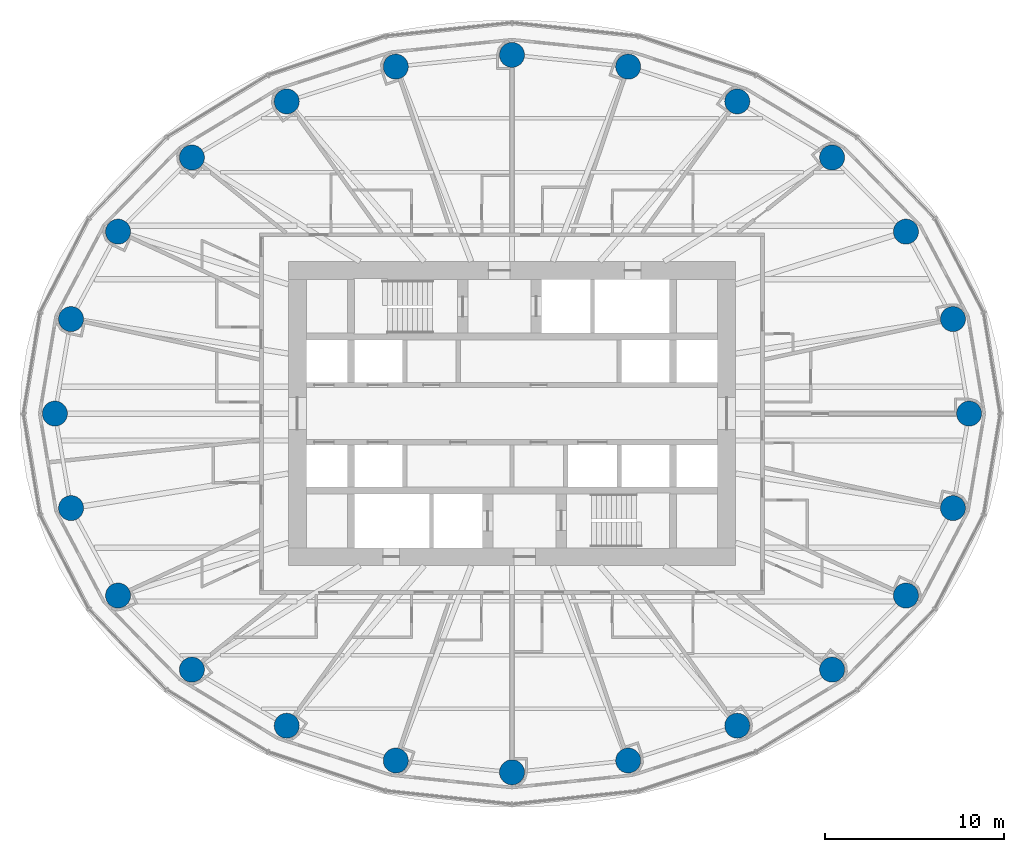
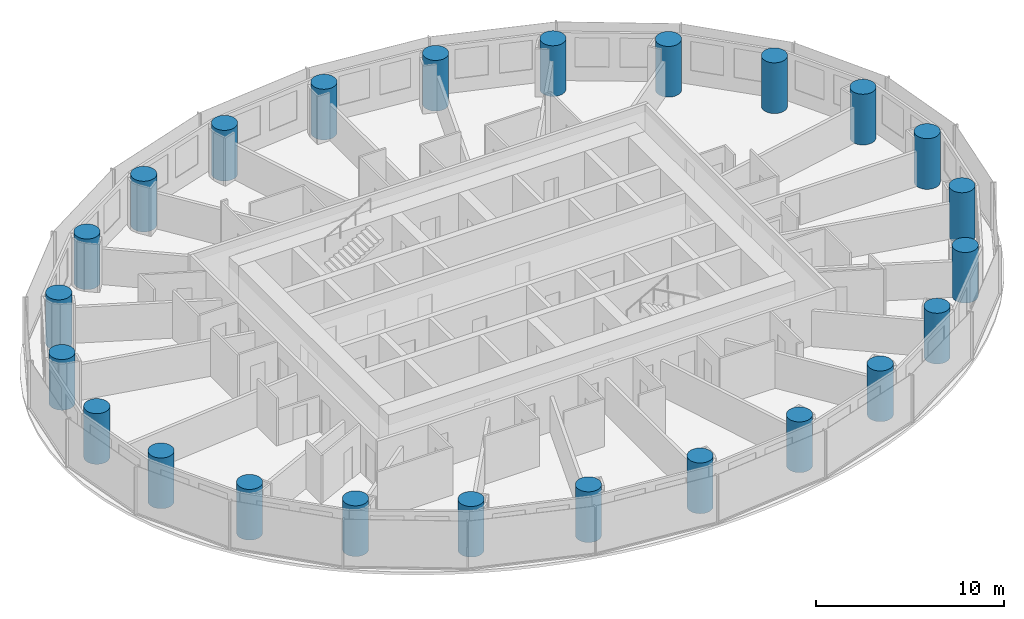
# One storey, part 1 of 14: 24 columns.
"""IFC4 building model written with IfcOpenShell, lengths in metres."""

from ifc_helpers import new_model, si_unit, direction, frame, origin, origin_2d, place, context, subcontext, project, spatial, circle, extrude, material, material_profile, profile_set, type_object, element, save


model = new_model("IFC4")

# Units and contexts
model_context = context("Model", 3, precision=1e-05, world=origin(), true_north=direction((0.0, 1.0)))
body_context = subcontext(model_context, "Body", "Model", "MODEL_VIEW")
ifc_project = project(units=[si_unit("LENGTHUNIT", "METRE"), si_unit("AREAUNIT", "SQUARE_METRE"), si_unit("VOLUMEUNIT", "CUBIC_METRE"), si_unit("PLANEANGLEUNIT", "RADIAN"), si_unit("MASSUNIT", "GRAM", prefix="KILO")], contexts=[model_context])

# Site, building, storey
site_placement = place(None, origin())
site = spatial("IfcSite", under=ifc_project, at=site_placement, CompositionType="ELEMENT")
building_placement = place(site_placement, origin())
building = spatial("IfcBuilding", under=site, at=building_placement, Name="Hankou Lantern Tower", CompositionType="ELEMENT")
storey_placement = place(building_placement, frame((0.0, 0.0, 60.60009765625)))
storey = spatial("IfcBuildingStorey", under=building, at=storey_placement, Name="L14", CompositionType="ELEMENT", Elevation=60.60009765625)

# Columns
ifc_material = material(Name="Concrete C60", Category="concrete")
ifc_material_profile = material_profile(ifc_material, circle(Radius=0.699951171875, at=origin_2d()), Name="RC D1400")
ifc_profile_set = profile_set([ifc_material_profile], Name="Concrete C60")
column_type = type_object("IfcColumnType", Name="TC2 PERIMETER COLUMN RC D1400", PredefinedType="COLUMN", material=ifc_profile_set)
for number, where, z_axis, x_axis, name in (
    (1, (25.550048828125, 0.0, 0.0), (0.0, 0.0, 1.0), (1.0, 0.0, 0.0), "Column R01 L14"),
    (2, (24.64697265625, 5.283203125, 0.0), (0.0, 0.0, 1.0), (1.0, 0.0, 0.0), "Column R02 L14"),
    (3, (22.01904296875, 10.170166015625, 0.0), (0.0, 0.0, 1.0), (1.0, 0.0, 0.0), "Column R03 L14"),
    (4, (17.891845703125, 14.3134765625, 0.0), (0.0, 0.0, 1.0), (1.0, 0.0, 0.0), "Column R04 L14"),
    (5, (12.5908203125, 17.446533203125, 0.0), (0.0, 0.0, 1.0), (1.0, 0.0, 0.0), "Column R05 L14"),
    (6, (6.494873046875, 19.391357421875, 0.0), (0.0, 0.0, 1.0), (1.0, 0.0, 0.0), "Column R06 L14"),
    (7, (0.0, 20.050048828125, 0.0), (0.0, 0.0, 1.0), (1.0, 0.0, 0.0), "Column R07 L14"),
    (8, (-6.494873046875, 19.391357421875, 0.0), (0.0, 0.0, 1.0), (1.0, 0.0, 0.0), "Column R08 L14"),
    (9, (-12.5908203125, 17.446533203125, 0.0), (0.0, 0.0, 1.0), (1.0, 0.0, 0.0), "Column R09 L14"),
    (10, (-17.891845703125, 14.3134765625, 0.0), (0.0, 0.0, 1.0), (1.0, 0.0, 0.0), "Column R10 L14"),
    (11, (-22.01904296875, 10.170166015625, 0.0), (0.0, 0.0, 1.0), (1.0, 0.0, 0.0), "Column R11 L14"),
    (12, (-24.64697265625, 5.283203125, 0.0), (0.0, 0.0, 1.0), (1.0, 0.0, 0.0), "Column R12 L14"),
    (13, (-25.550048828125, 0.0, 0.0), (0.0, 0.0, 1.0), (1.0, 0.0, 0.0), "Column R13 L14"),
    (14, (-24.64697265625, -5.283203125, 0.0), (0.0, 0.0, 1.0), (1.0, 0.0, 0.0), "Column R14 L14"),
    (15, (-22.01904296875, -10.170166015625, 0.0), (0.0, 0.0, 1.0), (1.0, 0.0, 0.0), "Column R15 L14"),
    (16, (-17.891845703125, -14.3134765625, 0.0), (0.0, 0.0, 1.0), (1.0, 0.0, 0.0), "Column R16 L14"),
    (17, (-12.5908203125, -17.446533203125, 0.0), (0.0, 0.0, 1.0), (1.0, 0.0, 0.0), "Column R17 L14"),
    (18, (-6.494873046875, -19.391357421875, 0.0), (0.0, 0.0, 1.0), (1.0, 0.0, 0.0), "Column R18 L14"),
    (19, (0.0, -20.050048828125, 0.0), (0.0, 0.0, 1.0), (1.0, 0.0, 0.0), "Column R19 L14"),
    (20, (6.494873046875, -19.391357421875, 0.0), (0.0, 0.0, 1.0), (1.0, 0.0, 0.0), "Column R20 L14"),
    (21, (12.5908203125, -17.446533203125, 0.0), (0.0, 0.0, 1.0), (1.0, 0.0, 0.0), "Column R21 L14"),
    (22, (17.891845703125, -14.3134765625, 0.0), (0.0, 0.0, 1.0), (1.0, 0.0, 0.0), "Column R22 L14"),
    (23, (22.01904296875, -10.170166015625, 0.0), (0.0, 0.0, 1.0), (1.0, 0.0, 0.0), "Column R23 L14"),
    (24, (24.64697265625, -5.283203125, 0.0), (0.0, 0.0, 1.0), (1.0, 0.0, 0.0), "Column R24 L14"),
):
    element("IfcColumn", number, at=place(storey_placement, frame(where, z_axis=z_axis, x_axis=x_axis)), inside=storey, type_object=column_type, Name=name, PredefinedType="COLUMN", context=body_context, shape_type="SweptSolid", body=[
        extrude(circle(Radius=0.699951171875, at=origin_2d()), origin(), (0.0, 0.0, 1.0), 3.2998046875),
    ])

save(model, "model.ifc")
